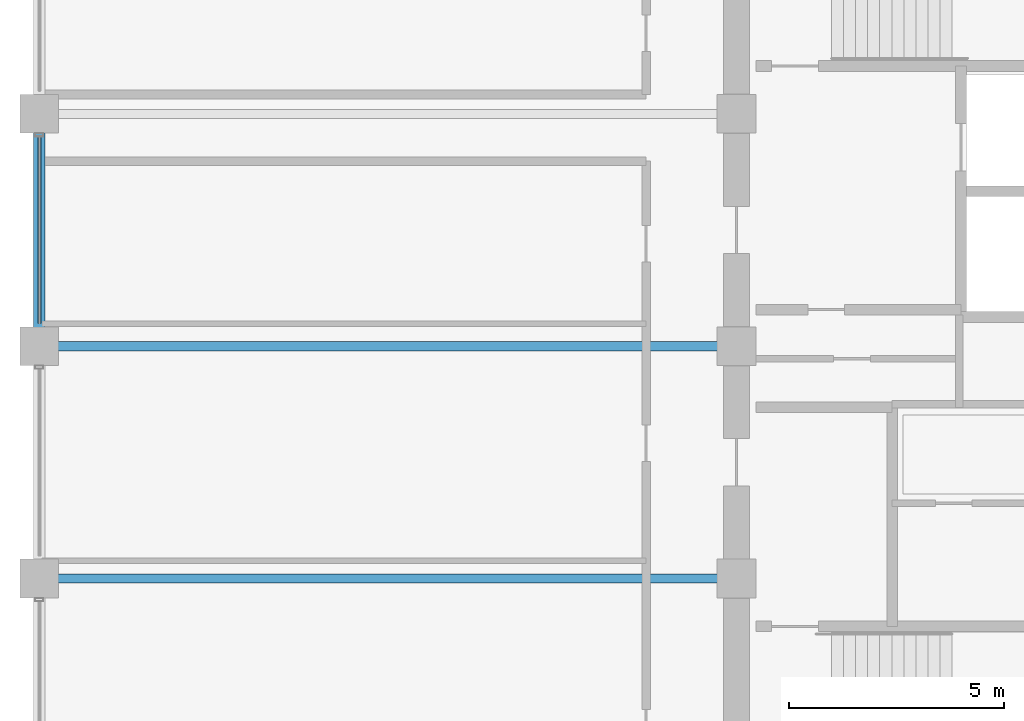
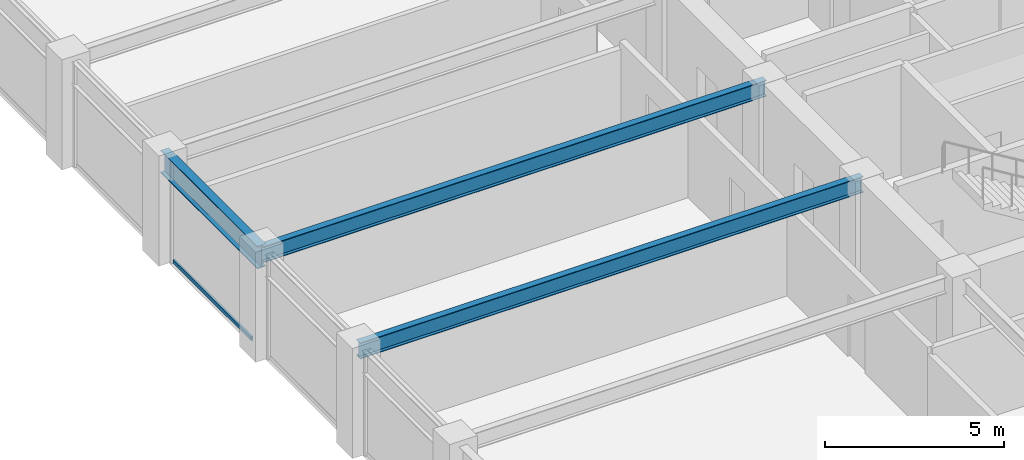
# One storey, part 9 of 32: 3 beams, 1 member, 1 element without a shape of its own.
"""IFC4 building model written with IfcOpenShell, lengths in metres."""

from ifc_helpers import new_model, si_unit, direction, frame, origin, origin_2d, place, context, subcontext, project, spatial, hollow_rectangle, i_section, extrude, material, layer, layer_set, material_profile, profile_set, type_object, element, aggregate, save


model = new_model("IFC4")

# Units and contexts
model_context = context("Model", 3, precision=1e-05, world=origin(), true_north=direction((0.0, 1.0)))
body_context = subcontext(model_context, "Body", "Model", "MODEL_VIEW")
ifc_project = project(units=[si_unit("LENGTHUNIT", "METRE"), si_unit("AREAUNIT", "SQUARE_METRE"), si_unit("VOLUMEUNIT", "CUBIC_METRE"), si_unit("PLANEANGLEUNIT", "RADIAN"), si_unit("MASSUNIT", "GRAM", prefix="KILO")], contexts=[model_context])

# Site, building, storey
site_placement = place(None, origin())
site = spatial("IfcSite", under=ifc_project, at=site_placement, CompositionType="ELEMENT")
building_placement = place(site_placement, origin())
building = spatial("IfcBuilding", under=site, at=building_placement, Name="Surkhivell Harbour Commons", CompositionType="ELEMENT")
storey_placement = place(building_placement, frame((0.0, 0.0, 197.25)))
storey = spatial("IfcBuildingStorey", under=building, at=storey_placement, Name="L51", CompositionType="ELEMENT", Elevation=197.25)

# Beams
ifc_material_1 = material(Name="Steel S355", Category="steel")
ifc_material_profile_1 = material_profile(ifc_material_1, i_section(OverallWidth=0.2119140625, OverallDepth=0.5439453125, WebThickness=0.0126953125, FlangeThickness=0.021240234375, at=origin_2d()), Name="UB533x210x122")
ifc_profile_set_1 = profile_set([ifc_material_profile_1], Name="Steel S355")
beam_type_1 = type_object("IfcBeamType", Name="BM-GRD-533A", PredefinedType="BEAM", material=ifc_profile_set_1)
for number, where, z_axis, x_axis, name in (
    (1, (-27.0, -5.39990234375, 3.298095703125), (1.0, 0.0, 0.0), (0.0, 1.0, 0.0), "L51 Floor Girder (-27.0,-5.4)"),
    (2, (-27.0, 0.0, 3.298095703125), (1.0, 0.0, 0.0), (0.0, 1.0, 0.0), "L51 Floor Girder (-27.0,0.0)"),
):
    element("IfcBeam", number, at=place(storey_placement, frame(where, z_axis=z_axis, x_axis=x_axis)), inside=storey, type_object=beam_type_1, Name=name, PredefinedType="BEAM", context=body_context, shape_type="SweptSolid", body=[
        extrude(i_section(OverallWidth=0.2119140625, OverallDepth=0.5439453125, WebThickness=0.0126953125, FlangeThickness=0.021240234375, at=origin_2d()), origin(), (0.0, 0.0, 1.0), 16.199951171875),
    ])
ifc_material_profile_2 = material_profile(ifc_material_1, i_section(OverallWidth=0.26806640625, OverallDepth=0.77001953125, WebThickness=0.015625, FlangeThickness=0.025390625, at=origin_2d()), Name="UB762x267x197")
ifc_profile_set_2 = profile_set([ifc_material_profile_2], Name="Steel S355")
beam_type_2 = type_object("IfcBeamType", Name="BM-SPN-762", PredefinedType="SPANDREL", material=ifc_profile_set_2)
beam_placement = place(storey_placement, frame((-27.0, 0.0, 3.18505859375), z_axis=(0.0, 1.0, 0.0), x_axis=(-1.0, 0.0, 0.0)))
element("IfcBeam", 3, at=beam_placement, inside=storey, type_object=beam_type_2, Name="L51 Tube Spandrel (-27.0,0.0)", PredefinedType="SPANDREL", context=body_context, shape_type="SweptSolid", body=[
    extrude(i_section(OverallWidth=0.26806640625, OverallDepth=0.77001953125, WebThickness=0.015625, FlangeThickness=0.025390625, at=origin_2d()), origin(), (0.0, 0.0, 1.0), 5.39990234375),
])

# Curtain wall, member
ifc_material_2 = material(Name="Anodised pale-metal aluminium and insulated glazing", Category="aluminium")
ifc_layer = layer(ifc_material_2, 0.18994140625)
ifc_layer_set = layer_set([ifc_layer], Name="Anodised pale-metal aluminium and insulated glazing")
curtain_wall_type = type_object("IfcCurtainWallType", Name="CW-SYS-Z3", PredefinedType="NOTDEFINED", material=ifc_layer_set)
curtain_wall_placement = place(storey_placement, origin())
curtain_wall = element("IfcCurtainWall", 4, at=curtain_wall_placement, inside=storey, type_object=curtain_wall_type, Name="L51 Curtain Wall CW-L51-E12S1", PredefinedType="NOTDEFINED")
ifc_material_3 = material(Name="Champagne anodised aluminium alloy 6063-T6", Category="aluminium")
ifc_material_profile_3 = material_profile(ifc_material_3, hollow_rectangle(XDim=0.070068359375, YDim=0.1298828125, WallThickness=0.00341796875, at=origin_2d()), Name="ALU-TRAN-70x130")
ifc_profile_set_3 = profile_set([ifc_material_profile_3], Name="Champagne anodised aluminium alloy 6063-T6")
member_type = type_object("IfcMemberType", Name="CWT-130", PredefinedType="USERDEFINED", material=ifc_profile_set_3)
member_placement = place(storey_placement, frame((-27.0, 4.873046875, 0.06494140625), z_axis=(0.0, -1.0, 0.0), x_axis=(1.0, 0.0, 0.0)))
member = element("IfcMember", 5, at=member_placement, type_object=member_type, Name="CW-Z3 transom 4.1", ObjectType="TRANSOM", PredefinedType="USERDEFINED", context=body_context, shape_type="SweptSolid", body=[
    extrude(hollow_rectangle(XDim=0.070068359375, YDim=0.1298828125, WallThickness=0.00341796875, at=origin_2d()), origin(), (0.0, 0.0, 1.0), 4.345947265625),
])
aggregate(curtain_wall, [member])

save(model, "model.ifc")
